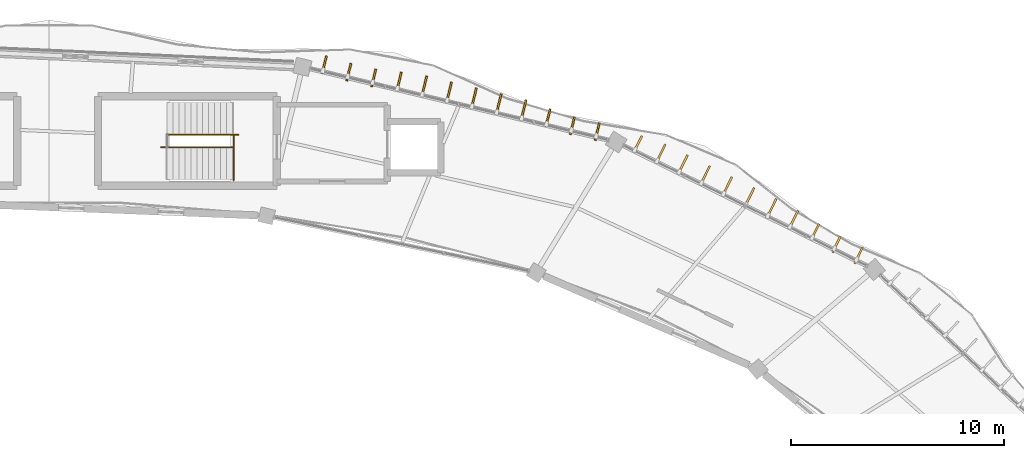
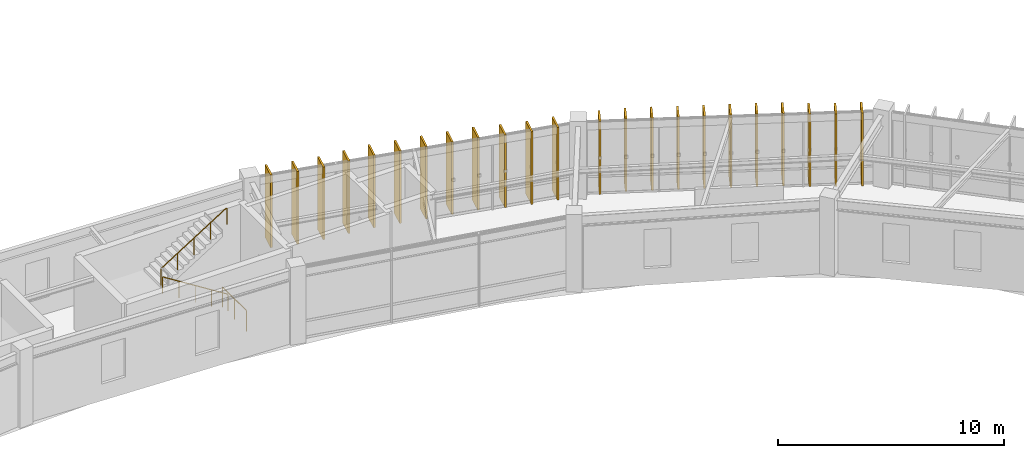
# One storey, part 148 of 152: 23 shading devices, 3 railings.
"""IFC4 building model written with IfcOpenShell, lengths in metres."""

from ifc_helpers import new_model, si_unit, direction, frame, origin, origin_2d, place, context, subcontext, project, spatial, rectangle, circle, extrude, material, type_object, element, save


model = new_model("IFC4")

# Units and contexts
model_context = context("Model", 3, precision=1e-05, world=origin(), true_north=direction((0.0, 1.0)))
body_context = subcontext(model_context, "Body", "Model", "MODEL_VIEW")
ifc_project = project(units=[si_unit("LENGTHUNIT", "METRE"), si_unit("AREAUNIT", "SQUARE_METRE"), si_unit("VOLUMEUNIT", "CUBIC_METRE"), si_unit("PLANEANGLEUNIT", "RADIAN"), si_unit("MASSUNIT", "GRAM", prefix="KILO"), si_unit("THERMODYNAMICTEMPERATUREUNIT", "KELVIN"), si_unit("POWERUNIT", "WATT")], contexts=[model_context])

# Site, building, storey
site_placement = place(None, origin())
site = spatial("IfcSite", under=ifc_project, at=site_placement, CompositionType="ELEMENT")
building_placement = place(site_placement, origin())
building = spatial("IfcBuilding", under=site, at=building_placement, Name="Darbajah Civic Hall", CompositionType="ELEMENT")
storey_placement = place(building_placement, frame((0.0, 0.0, 5.39990234375)))
storey = spatial("IfcBuildingStorey", under=building, at=storey_placement, Name="L01", CompositionType="ELEMENT", Elevation=5.39990234375)

# Railings
ifc_material_1 = material(Name="Brushed Bronze Stainless Steel", Category="steel")
railing_type_1 = type_object("IfcRailingType", Name="Brushed Bronze Handrail", PredefinedType="HANDRAIL", material=ifc_material_1)
railing_1_placement = place(storey_placement, frame((97.719970703125, 114.699951171875, 0.175048828125)))
element("IfcRailing", 1, at=railing_1_placement, inside=storey, type_object=railing_type_1, Name="ST02 L01 lower flight handrail", PredefinedType="HANDRAIL", context=body_context, shape_type="SweptSolid", body=[
    extrude(circle(Radius=0.02392578125, at=origin_2d()), frame((-0.023193359375, 0.0, 0.910400390625), z_axis=(-0.845926808262, 0.0, 0.533299010935), x_axis=(0.0, -1.0, 0.0)), (0.0, 0.0, 1.0), 3.917236328125),
    extrude(circle(Radius=0.02099609375, at=origin_2d()), origin(), (0.0, 0.0, 1.0), 0.867919921875),
    extrude(circle(Radius=0.02099609375, at=origin_2d()), frame((-0.83984375, 0.0, 0.529541015625)), (0.0, 0.0, 1.0), 0.867919921875),
    extrude(circle(Radius=0.02099609375, at=origin_2d()), frame((-1.679931640625, 0.0, 1.05908203125)), (0.0, 0.0, 1.0), 0.867919921875),
    extrude(circle(Radius=0.02099609375, at=origin_2d()), frame((-2.52001953125, 0.0, 1.588623046875)), (0.0, 0.0, 1.0), 0.867919921875),
    extrude(circle(Radius=0.02099609375, at=origin_2d()), frame((-3.35986328125, 0.0, 2.1181640625)), (0.0, 0.0, 1.0), 0.867919921875),
])
railing_2_placement = place(storey_placement, frame((94.639892578125, 115.300048828125, 2.275146484375)))
element("IfcRailing", 2, at=railing_2_placement, inside=storey, type_object=railing_type_1, Name="ST02 L01 upper flight handrail", PredefinedType="HANDRAIL", context=body_context, shape_type="SweptSolid", body=[
    extrude(circle(Radius=0.02392578125, at=origin_2d()), frame((0.023193359375, 0.0, 0.910400390625), z_axis=(0.845944288966, 0.0, 0.533271281775), x_axis=(0.0, 1.0, 0.0)), (0.0, 0.0, 1.0), 3.91748046875),
    extrude(circle(Radius=0.02099609375, at=origin_2d()), origin(), (0.0, 0.0, 1.0), 0.867919921875),
    extrude(circle(Radius=0.02099609375, at=origin_2d()), frame((0.840087890625, 0.0, 0.529541015625)), (0.0, 0.0, 1.0), 0.867919921875),
    extrude(circle(Radius=0.02099609375, at=origin_2d()), frame((1.68017578125, 0.0, 1.05908203125)), (0.0, 0.0, 1.0), 0.867919921875),
    extrude(circle(Radius=0.02099609375, at=origin_2d()), frame((2.52001953125, 0.0, 1.588623046875)), (0.0, 0.0, 1.0), 0.867919921875),
    extrude(circle(Radius=0.02099609375, at=origin_2d()), frame((3.360107421875, 0.0, 2.1181640625)), (0.0, 0.0, 1.0), 0.867919921875),
])
ifc_material_2 = material(Name="Brushed Bronze and Laminated Safety Glass", Category="glass")
railing_type_2 = type_object("IfcRailingType", Name="Interior Guard Balustrade", PredefinedType="BALUSTRADE", material=ifc_material_2)
railing_3_placement = place(storey_placement, frame((97.77001953125, 113.14990234375, 0.0)))
element("IfcRailing", 3, at=railing_3_placement, inside=storey, type_object=railing_type_2, Name="ST02 L01 stair-well edge guard", PredefinedType="BALUSTRADE", context=body_context, shape_type="SweptSolid", body=[
    extrude(circle(Radius=0.02392578125, at=origin_2d()), frame((0.0, 0.02734375, 1.09619140625), z_axis=(0.0, 1.0, 0.0), x_axis=(-1.0, 0.0, 0.0)), (0.0, 0.0, 1.0), 2.095458984375),
    extrude(circle(Radius=0.02099609375, at=origin_2d()), origin(), (0.0, 0.0, 1.0), 1.068115234375),
    extrude(circle(Radius=0.02099609375, at=origin_2d()), frame((0.0, 1.0751953125, 0.0)), (0.0, 0.0, 1.0), 1.068115234375),
    extrude(circle(Radius=0.02099609375, at=origin_2d()), frame((0.0, 2.150146484375, 0.0)), (0.0, 0.0, 1.0), 1.068115234375),
])

# Shading devices
ifc_material_3 = material(Name="Bronze Anodised Aluminium and Teak Composite", Category="aluminium")
shading_device_type = type_object("IfcShadingDeviceType", Name="Vertical Bronze Timber Shading Fin", PredefinedType="USERDEFINED", material=ifc_material_3)
for number, where, z_axis, x_axis, name in (
    (4, (127.139404296875, 109.62060546875, 0.000244140625), (0.0, 0.0, 1.0), (0.442914717678, 0.89656374724, 0.0), "L01 vertical shading fin VF-02-1"),
    (5, (126.101806640625, 110.1435546875, 0.000244140625), (0.0, 0.0, 1.0), (0.442914717678, 0.89656374724, 0.0), "L01 vertical shading fin VF-02-2"),
    (6, (125.096435546875, 110.731201171875, 0.000244140625), (0.0, 0.0, 1.0), (0.442914717678, 0.89656374724, 0.0), "L01 vertical shading fin VF-02-3"),
    (7, (124.10498046875, 111.34716796875, 0.000244140625), (0.0, 0.0, 1.0), (0.442914717678, 0.89656374724, 0.0), "L01 vertical shading fin VF-02-4"),
    (8, (123.083740234375, 111.903076171875, 0.000244140625), (0.0, 0.0, 1.0), (0.442914717678, 0.89656374724, 0.0), "L01 vertical shading fin VF-02-5"),
    (9, (122.042236328125, 112.41748046875, 0.000244140625), (0.0, 0.0, 1.0), (0.442914717678, 0.89656374724, 0.0), "L01 vertical shading fin VF-02-6"),
    (10, (121.00048828125, 112.93212890625, 0.000244140625), (0.0, 0.0, 1.0), (0.442914717678, 0.89656374724, 0.0), "L01 vertical shading fin VF-02-7"),
    (11, (119.958984375, 113.44677734375, 0.000244140625), (0.0, 0.0, 1.0), (0.442914717678, 0.89656374724, 0.0), "L01 vertical shading fin VF-02-8"),
    (12, (118.91748046875, 113.961181640625, 0.000244140625), (0.0, 0.0, 1.0), (0.442914717678, 0.89656374724, 0.0), "L01 vertical shading fin VF-02-9"),
    (13, (117.87255859375, 114.468994140625, 0.000244140625), (0.0, 0.0, 1.0), (0.442914717678, 0.89656374724, 0.0), "L01 vertical shading fin VF-02-10"),
    (14, (116.7685546875, 114.857421875, 0.000244140625), (0.0, 0.0, 1.0), (0.442914717678, 0.89656374724, 0.0), "L01 vertical shading fin VF-02-11"),
    (15, (114.85888671875, 115.438232421875, 0.000244140625), (0.0, 0.0, 1.0), (0.232936200179, 0.972492018808, 0.0), "L01 vertical shading fin VF-03-1"),
    (16, (113.69140625, 115.718017578125, 0.000244140625), (0.0, 0.0, 1.0), (0.232936200179, 0.972492018808, 0.0), "L01 vertical shading fin VF-03-2"),
    (17, (112.546875, 116.0927734375, 0.000244140625), (0.0, 0.0, 1.0), (0.232936200179, 0.972492018808, 0.0), "L01 vertical shading fin VF-03-3"),
    (18, (111.414306640625, 116.517822265625, 0.000244140625), (0.0, 0.0, 1.0), (0.232936200179, 0.972492018808, 0.0), "L01 vertical shading fin VF-03-4"),
    (19, (110.24755859375, 116.80029296875, 0.000244140625), (0.0, 0.0, 1.0), (0.232936200179, 0.972492018808, 0.0), "L01 vertical shading fin VF-03-5"),
    (20, (109.080078125, 117.079833984375, 0.000244140625), (0.0, 0.0, 1.0), (0.232936200179, 0.972492018808, 0.0), "L01 vertical shading fin VF-03-6"),
    (21, (107.912841796875, 117.359619140625, 0.000244140625), (0.0, 0.0, 1.0), (0.232936200179, 0.972492018808, 0.0), "L01 vertical shading fin VF-03-7"),
    (22, (106.74560546875, 117.639404296875, 0.000244140625), (0.0, 0.0, 1.0), (0.232936200179, 0.972492018808, 0.0), "L01 vertical shading fin VF-03-8"),
    (23, (105.5546875, 117.821533203125, 0.000244140625), (0.0, 0.0, 1.0), (0.232936200179, 0.972492018808, 0.0), "L01 vertical shading fin VF-03-9"),
    (24, (104.3544921875, 117.9638671875, 0.000244140625), (0.0, 0.0, 1.0), (0.232936200179, 0.972492018808, 0.0), "L01 vertical shading fin VF-03-10"),
    (25, (103.18505859375, 118.2353515625, 0.000244140625), (0.0, 0.0, 1.0), (0.232936200179, 0.972492018808, 0.0), "L01 vertical shading fin VF-03-11"),
    (26, (102.03515625, 118.587890625, 0.000244140625), (0.0, 0.0, 1.0), (0.232936200179, 0.972492018808, 0.0), "L01 vertical shading fin VF-03-12"),
):
    element("IfcShadingDevice", number, at=place(storey_placement, frame(where, z_axis=z_axis, x_axis=x_axis)), inside=storey, type_object=shading_device_type, Name=name, ObjectType="VERTICAL FIN", PredefinedType="USERDEFINED", context=body_context, shape_type="SweptSolid", body=[
        extrude(rectangle(XDim=0.85009765625, YDim=0.090087890625, at=origin_2d()), origin(), (0.0, 0.0, 1.0), 3.919921875),
    ])

save(model, "model.ifc")
